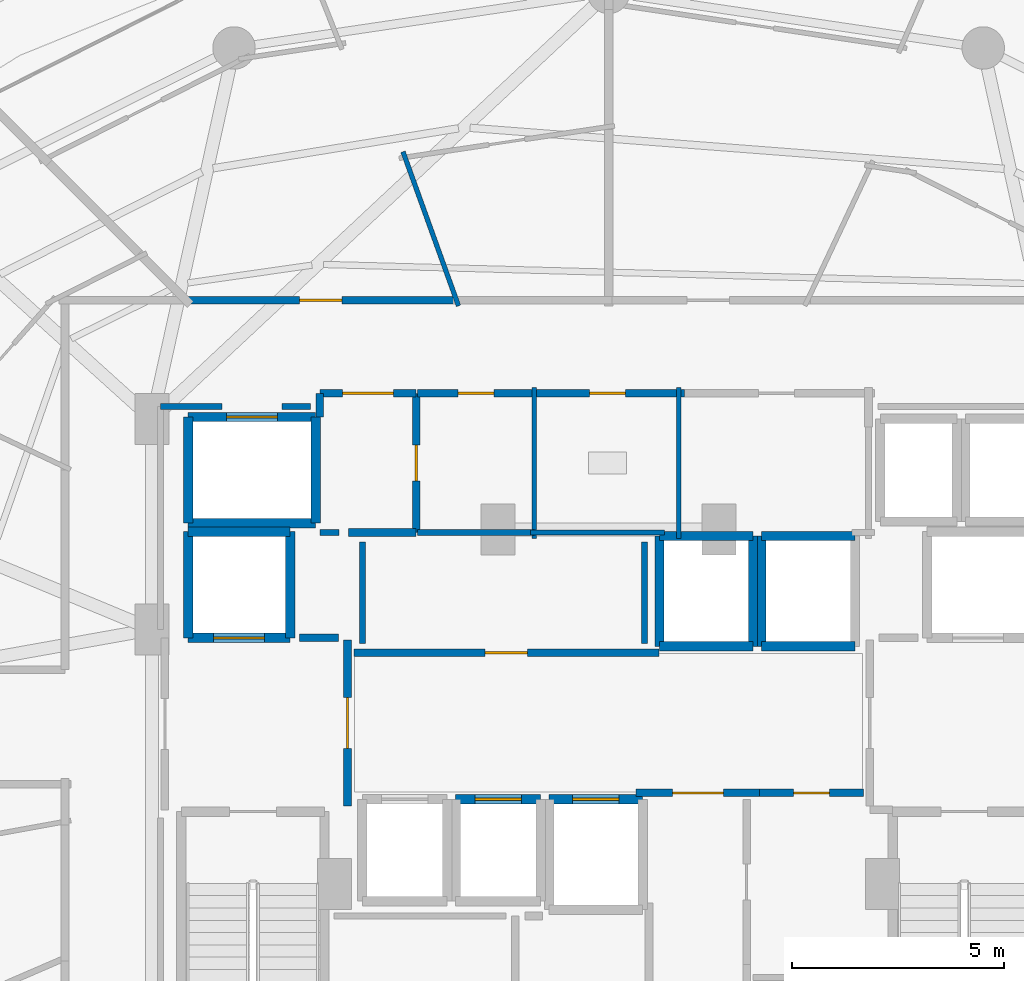
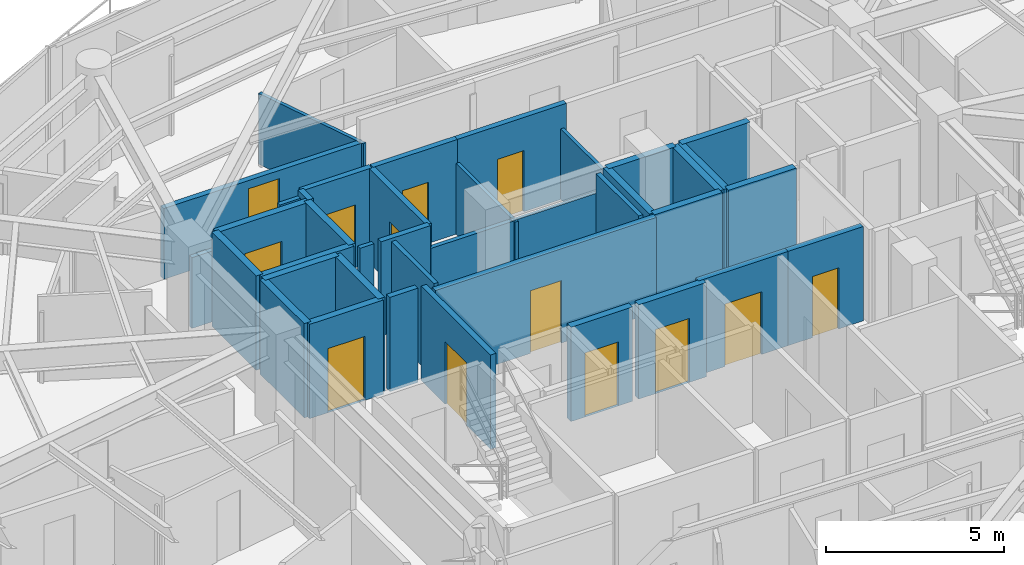
# One storey, part 24 of 31: 39 walls, 13 doors, 13 openings.
"""IFC4 building model written with IfcOpenShell, lengths in metres."""

import ifcopenshell
import ifcopenshell.guid

model = None  # the IFC model being written
_history = None  # IfcOwnerHistory: only IFC2X3 demands one
_inside = {}  # id of a spatial element -> (the spatial element, [elements in it])
_under = {}  # id of a project, library or spatial element -> (it, [spatial elements below it])
_declared = {}  # id of a project -> (the project, [libraries it declares])
_typed = {}  # id of a type object -> (the type object, [elements of that type])
_made_of = {}  # id of a material, layer set ... -> (it, [elements and type objects made of it])


def new_model(schema):
    """Start an empty IFC model of exactly this schema.

    Asked for "IFC4X3", IfcOpenShell would pick the latest addendum, in which some entities
    have other attributes; the version numbers below select the first issue.
    IFC2X3 requires an IfcOwnerHistory on every rooted entity: one is made here for all.
    """
    global model, _history
    if schema == "IFC4X3":
        model = ifcopenshell.file(schema_version=(4, 3, 0, 0))
    else:
        model = ifcopenshell.file(schema=schema)
    _inside.clear()
    _under.clear()
    _declared.clear()
    _typed.clear()
    _made_of.clear()
    _history = None
    if model.schema == "IFC2X3":
        org = make("IfcOrganization", Name="unknown")
        user = make(
            "IfcPersonAndOrganization",
            ThePerson=make("IfcPerson", FamilyName="unknown"),
            TheOrganization=org,
        )
        app = make(
            "IfcApplication",
            ApplicationDeveloper=org,
            Version="unknown",
            ApplicationFullName="unknown",
            ApplicationIdentifier="unknown",
        )
        _history = make(
            "IfcOwnerHistory",
            OwningUser=user,
            OwningApplication=app,
            ChangeAction="ADDED",
            CreationDate=0,
        )
    return model


def make(cls, **values):
    """One entity of the class cls with the attributes given. An attribute that is None is left unset."""
    return model.create_entity(
        cls, **{name: value for name, value in values.items() if value is not None}
    )


def rooted(cls, **values):
    """An entity with a GlobalId (a new one), such as an element, a storey or a relation."""
    return make(cls, GlobalId=ifcopenshell.guid.new(), OwnerHistory=_history, **values)


def si_unit(unit_type, name, prefix=None):
    """IfcSIUnit, for example si_unit("LENGTHUNIT", "METRE", prefix="MILLI")."""
    return make("IfcSIUnit", UnitType=unit_type, Prefix=prefix, Name=name)


def assignment(units):
    """IfcUnitAssignment: the units of a project."""
    return None if units is None else make("IfcUnitAssignment", Units=units)


def point(xyz):
    """IfcCartesianPoint."""
    return None if xyz is None else make("IfcCartesianPoint", Coordinates=xyz)


def direction(xyz):
    """IfcDirection."""
    return None if xyz is None else make("IfcDirection", DirectionRatios=xyz)


def frame(location, z_axis=None, x_axis=None):
    """IfcAxis2Placement3D, a coordinate frame: its origin and axes. An axis left out is left unset."""
    return make(
        "IfcAxis2Placement3D",
        Location=point(location),
        Axis=direction(z_axis),
        RefDirection=direction(x_axis),
    )


def frame_2d(location, x_axis=None):
    """IfcAxis2Placement2D, a coordinate frame in the plane: its origin and x axis."""
    return make(
        "IfcAxis2Placement2D", Location=point(location), RefDirection=direction(x_axis)
    )


def origin():
    """The frame at (0, 0, 0) with its axes left unset."""
    return frame((0.0, 0.0, 0.0))


def place(relative_to, where):
    """IfcLocalPlacement: puts the frame where relative to a parent placement (None: the world)."""
    return make(
        "IfcLocalPlacement", PlacementRelTo=relative_to, RelativePlacement=where
    )


def context(
    kind, dimensions, precision=None, world=None, true_north=None, identifier=None
):
    """IfcGeometricRepresentationContext, for example the 3D "Model" context."""
    return make(
        "IfcGeometricRepresentationContext",
        ContextIdentifier=identifier,
        ContextType=kind,
        CoordinateSpaceDimension=dimensions,
        Precision=precision,
        WorldCoordinateSystem=world,
        TrueNorth=true_north,
    )


def subcontext(parent, identifier, kind, view, scale=None):
    """IfcGeometricRepresentationSubContext, for example "Body" below "Model"."""
    return make(
        "IfcGeometricRepresentationSubContext",
        ContextIdentifier=identifier,
        ContextType=kind,
        ParentContext=parent,
        TargetScale=scale,
        TargetView=view,
    )


def project(units=None, contexts=None):
    """IfcProject with its units and contexts."""
    return rooted(
        "IfcProject",
        Name="project",
        RepresentationContexts=contexts,
        UnitsInContext=assignment(units),
    )


def spatial(cls, under=None, at=None, **own):
    """A site, building, storey or space (cls), placed at a placement, below another one or the project."""
    s = rooted(cls, ObjectPlacement=at, **own)
    if under is not None:
        _under.setdefault(under.id(), (under, []))[1].append(s)
    return s


def profile(cls, at=None, kind="AREA", **sizes):
    """A parametric profile (cls). Its sizes go by their IFC names, for example OverallWidth=200.0."""
    return make(cls, ProfileType=kind, Position=at, **sizes)


def rectangle(**sizes):
    """IfcRectangleProfileDef."""
    return profile("IfcRectangleProfileDef", **sizes)


def extrude(swept, where, along, depth):
    """IfcExtrudedAreaSolid: the profile swept, set in the frame where, extruded along a direction by depth."""
    return make(
        "IfcExtrudedAreaSolid",
        SweptArea=swept,
        Position=where,
        ExtrudedDirection=direction(along),
        Depth=depth,
    )


def shape(context_of_items, identifier, shape_type, items):
    """IfcShapeRepresentation: the items that make up one representation, for example the "Body"."""
    return make(
        "IfcShapeRepresentation",
        ContextOfItems=context_of_items,
        RepresentationIdentifier=identifier,
        RepresentationType=shape_type,
        Items=items,
    )


def material(Name=None, Category=None):
    """IfcMaterial."""
    return make("IfcMaterial", Name=Name, Category=Category)


def layer(
    of_material, thickness, ventilated=None, Name=None, Category=None, Priority=None
):
    """IfcMaterialLayer: one layer of a wall or slab, of a material (None: an air gap)."""
    return make(
        "IfcMaterialLayer",
        Material=of_material,
        LayerThickness=thickness,
        IsVentilated=ventilated,
        Name=Name,
        Category=Category,
        Priority=Priority,
    )


def layer_set(layers, Name=None):
    """IfcMaterialLayerSet."""
    return make("IfcMaterialLayerSet", MaterialLayers=layers, LayerSetName=Name)


def made_of(thing, what):
    """Note that an element or type object is made of a material, layer set ...; save() writes the relation."""
    if what is not None:
        _made_of.setdefault(what.id(), (what, []))[1].append(thing)
    return thing


def type_object(cls, material=None, **own):
    """A type object (cls), such as IfcWallType, which elements share."""
    return made_of(rooted(cls, **own), material)


def element(
    cls,
    number,
    at=None,
    inside=None,
    cuts=None,
    type_object=None,
    material=None,
    context=None,
    identifier="Body",
    shape_type=None,
    held_by="IfcProductDefinitionShape",
    body=None,
    shapes=None,
    **own,
):
    """One element of the class cls, such as IfcWall. Its Tag is "e" and its number.

    at: its placement. inside: the storey or other place that contains it. cuts: it is an
    opening in that element (IfcRelVoidsElement). A single representation is given by context,
    identifier, shape_type and body (its items); several are given by shapes. held_by: the class
    of the entity that holds the representations. save() writes the other relations.
    """
    e = rooted(cls, Tag="e%d" % number, ObjectPlacement=at, **own)
    if body is not None:
        shapes = [shape(context, identifier, shape_type, body)]
    if shapes is not None:
        e.Representation = make(held_by, Representations=shapes)
    if inside is not None:
        _inside.setdefault(inside.id(), (inside, []))[1].append(e)
    if cuts is not None:
        rooted(
            "IfcRelVoidsElement", RelatingBuildingElement=cuts, RelatedOpeningElement=e
        )
    if type_object is not None:
        _typed.setdefault(type_object.id(), (type_object, []))[1].append(e)
    return made_of(e, material)


def fill(opening, filler):
    """IfcRelFillsElement: the door or window that sits in an opening."""
    return rooted(
        "IfcRelFillsElement",
        RelatingOpeningElement=opening,
        RelatedBuildingElement=filler,
    )


def aggregate(whole, parts):
    """IfcRelAggregates: a whole, such as a stair, and the parts it consists of."""
    return rooted("IfcRelAggregates", RelatingObject=whole, RelatedObjects=parts)


def save(model, path):
    """Write the relations noted so far, then the file.

    IfcRelAggregates (storeys below a building ...), IfcRelContainedInSpatialStructure (elements
    in a storey), IfcRelDefinesByType, IfcRelAssociatesMaterial and IfcRelDeclares: one each for
    every whole, place, type object, material and project.
    """
    for whole, parts in _under.values():
        aggregate(whole, parts)
    for where, things in _inside.values():
        rooted(
            "IfcRelContainedInSpatialStructure",
            RelatedElements=things,
            RelatingStructure=where,
        )
    for kind, things in _typed.values():
        rooted("IfcRelDefinesByType", RelatedObjects=things, RelatingType=kind)
    for what, things in _made_of.values():
        rooted("IfcRelAssociatesMaterial", RelatedObjects=things, RelatingMaterial=what)
    for by, libraries in _declared.values():
        rooted("IfcRelDeclares", RelatingContext=by, RelatedDefinitions=libraries)
    model.write(path)


model = new_model("IFC4")

# Units and contexts
model_context = context("Model", 3, precision=1e-05, world=origin(), true_north=direction((0.0, 1.0)))
body_context = subcontext(model_context, "Body", "Model", "MODEL_VIEW")
ifc_project = project(units=[si_unit("LENGTHUNIT", "METRE"), si_unit("AREAUNIT", "SQUARE_METRE"), si_unit("VOLUMEUNIT", "CUBIC_METRE"), si_unit("PLANEANGLEUNIT", "RADIAN"), si_unit("MASSUNIT", "GRAM", prefix="KILO")], contexts=[model_context])

# Site, building, storey
site_placement = place(None, origin())
site = spatial("IfcSite", under=ifc_project, at=site_placement, CompositionType="ELEMENT")
building_placement = place(site_placement, origin())
building = spatial("IfcBuilding", under=site, at=building_placement, Name="Vorneva Point Tower", CompositionType="ELEMENT")
storey_placement = place(building_placement, frame((0.0, 0.0, 136.10009765625)))
storey = spatial("IfcBuildingStorey", under=building, at=storey_placement, Name="L36", CompositionType="ELEMENT", Elevation=136.10009765625)

# Wall, opening, door
ifc_material_1 = material(Name="Concrete B60 (C50/60)", Category="concrete")
ifc_layer_1 = layer(ifc_material_1, 0.5)
ifc_layer_set_1 = layer_set([ifc_layer_1], Name="Concrete B60 (C50/60)")
wall_type_1 = type_object("IfcWallType", Name="WL-CORE-500", PredefinedType="SHEAR", material=ifc_layer_set_1)
wall_1_placement = place(storey_placement, frame((28.10009765625, 28.0, 0.0), z_axis=(0.0, 0.0, 1.0), x_axis=(1.0, 0.0, 0.0)))
wall_1 = element("IfcWall", 1, at=wall_1_placement, inside=storey, type_object=wall_type_1, Name="L36 Lift FFL1 Shaft Wall -Y", PredefinedType="SHEAR", context=body_context, shape_type="SweptSolid", body=[
    extrude(rectangle(XDim=2.39990234375, YDim=0.219970703125, at=frame_2d((1.199951171875, 0.0))), origin(), (0.0, 0.0, 1.0), 3.239990234375),
])
opening_1_placement = place(wall_1_placement, frame((0.60009765625, 0.0, 0.0)))
opening_1 = element("IfcOpeningElement", 2, at=opening_1_placement, cuts=wall_1, Name="Opening LD-02", PredefinedType="OPENING", context=body_context, shape_type="SweptSolid", body=[
    extrude(rectangle(XDim=1.199951171875, YDim=2.199951171875, at=frame_2d((0.60009765625, 1.10009765625))), frame((0.0, 0.125, 0.0), z_axis=(0.0, -1.0, 0.0), x_axis=(1.0, 0.0, 0.0)), (0.0, 0.0, 1.0), 0.249755859375),
])
ifc_material_2 = material(Name="Brushed stainless steel S304", Category="steel")
door_type_1 = type_object("IfcDoorType", Name="LD-FIRE-1200", OperationType="SLIDING_TO_LEFT", PredefinedType="DOOR", material=ifc_material_2)
door_1_placement = place(opening_1_placement, origin())
door_1 = element("IfcDoor", 3, at=door_1_placement, inside=storey, type_object=door_type_1, Name="L36 Lift FFL1 Sliding Landing Door", OperationType="SLIDING_TO_LEFT", OverallHeight=2.199951171875, OverallWidth=1.199951171875, PredefinedType="DOOR", context=body_context, shape_type="SweptSolid", body=[
    extrude(rectangle(XDim=1.199951171875, YDim=2.199951171875, at=frame_2d((0.60009765625, 1.10009765625))), frame((0.0, 0.02490234375, 0.0), z_axis=(0.0, -1.0, 0.0), x_axis=(1.0, 0.0, 0.0)), (0.0, 0.0, 1.0), 0.050048828125),
])
fill(opening_1, door_1)

# Walls
wall_2_placement = place(storey_placement, frame((30.5, 28.0, 0.0), z_axis=(0.0, 0.0, 1.0), x_axis=(0.0, 1.0, 0.0)))
element("IfcWall", 4, at=wall_2_placement, inside=storey, type_object=wall_type_1, Name="L36 Lift FFL1 Shaft Wall +X", PredefinedType="SHEAR", context=body_context, shape_type="SweptSolid", body=[
    extrude(rectangle(XDim=2.5, YDim=0.219970703125, at=frame_2d((1.25, 0.0))), origin(), (0.0, 0.0, 1.0), 3.239990234375),
])
wall_3_placement = place(storey_placement, frame((30.5, 30.5, 0.0), z_axis=(0.0, 0.0, 1.0), x_axis=(-1.0, 0.0, 0.0)))
element("IfcWall", 5, at=wall_3_placement, inside=storey, type_object=wall_type_1, Name="L36 Lift FFL1 Shaft Wall +Y", PredefinedType="SHEAR", context=body_context, shape_type="SweptSolid", body=[
    extrude(rectangle(XDim=2.39990234375, YDim=0.219970703125, at=frame_2d((1.199951171875, 0.0))), origin(), (0.0, 0.0, 1.0), 3.239990234375),
])
wall_4_placement = place(storey_placement, frame((28.10009765625, 30.5, 0.0), z_axis=(0.0, 0.0, 1.0), x_axis=(0.0, -1.0, 0.0)))
element("IfcWall", 6, at=wall_4_placement, inside=storey, type_object=wall_type_1, Name="L36 Lift FFL1 Shaft Wall -X", PredefinedType="SHEAR", context=body_context, shape_type="SweptSolid", body=[
    extrude(rectangle(XDim=2.5, YDim=0.219970703125, at=frame_2d((1.25, 0.0))), origin(), (0.0, 0.0, 1.0), 3.239990234375),
])
ifc_material_3 = material(Name="Fire-rated acoustic gypsum stud partition", Category="gypsum")
ifc_layer_2 = layer(ifc_material_3, 0.110107421875)
ifc_layer_set_2 = layer_set([ifc_layer_2], Name="Fire-rated acoustic gypsum stud partition")
wall_type_2 = type_object("IfcWallType", Name="WL-PART-110", PredefinedType="PARTITIONING", material=ifc_layer_set_2)
for number, where, z_axis, x_axis, name in (
    (7, (36.25, 30.340087890625, 0.0), (0.0, 0.0, 1.0), (0.0, 1.0, 0.0), "L36 Interior Partition 019"),
    (8, (39.64990234375, 30.340087890625, 0.0), (0.0, 0.0, 1.0), (0.0, 1.0, 0.0), "L36 Interior Partition 022"),
):
    element("IfcWall", number, at=place(storey_placement, frame(where, z_axis=z_axis, x_axis=x_axis)), inside=storey, type_object=wall_type_2, Name=name, PredefinedType="PARTITIONING", context=body_context, shape_type="SweptSolid", body=[
        extrude(rectangle(XDim=3.559814453125, YDim=0.110107421875, at=frame_2d((1.77978515625, 0.0))), origin(), (0.0, 0.0, 1.0), 2.431884765625),
    ])
wall_5_placement = place(storey_placement, frame((36.159912109375, 30.47998046875, 0.0), z_axis=(0.0, 0.0, 1.0), x_axis=(1.0, 0.0, 0.0)))
element("IfcWall", 9, at=wall_5_placement, inside=storey, type_object=wall_type_2, Name="L36 Interior Partition 023", PredefinedType="PARTITIONING", context=body_context, shape_type="SweptSolid", body=[
    extrude(rectangle(XDim=3.16015625, YDim=0.110107421875, at=frame_2d((1.580078125, 0.0))), origin(), (0.0, 0.0, 1.0), 2.431884765625),
])
wall_6_placement = place(storey_placement, frame((34.46533203125, 35.818359375, 0.0), z_axis=(0.0, 0.0, 1.0), x_axis=(-0.338813618534, 0.940853512453, 0.0)))
element("IfcWall", 10, at=wall_6_placement, inside=storey, type_object=wall_type_2, Name="L36 Interior Partition 083", PredefinedType="PARTITIONING", context=body_context, shape_type="SweptSolid", body=[
    extrude(rectangle(XDim=3.8564453125, YDim=0.110107421875, at=frame_2d((1.92822265625, 0.0))), origin(), (0.0, 0.0, 1.0), 2.431884765625),
])
ifc_layer_3 = layer(ifc_material_3, 0.139892578125)
ifc_layer_set_3 = layer_set([ifc_layer_3], Name="Fire-rated acoustic gypsum stud partition")
wall_type_3 = type_object("IfcWallType", Name="WL-PART-140", PredefinedType="PARTITIONING", material=ifc_layer_set_3)
wall_7_placement = place(storey_placement, frame((33.5, 30.47998046875, 0.0), z_axis=(0.0, 0.0, 1.0), x_axis=(1.0, 0.0, 0.0)))
element("IfcWall", 11, at=wall_7_placement, inside=storey, type_object=wall_type_3, Name="L36 Interior Partition 020", PredefinedType="PARTITIONING", context=body_context, shape_type="SweptSolid", body=[
    extrude(rectangle(XDim=2.75, YDim=0.139892578125, at=frame_2d((1.375, 0.0))), origin(), (0.0, 0.0, 1.0), 2.431884765625),
])
wall_8_placement = place(storey_placement, frame((31.199951171875, 30.47998046875, 0.0), z_axis=(0.0, 0.0, 1.0), x_axis=(1.0, 0.0, 0.0)))
element("IfcWall", 12, at=wall_8_placement, inside=storey, type_object=wall_type_3, Name="L36 Interior Closure Partition 133", PredefinedType="PARTITIONING", context=body_context, shape_type="SweptSolid", body=[
    extrude(rectangle(XDim=0.449951171875, YDim=0.139892578125, at=frame_2d((0.22509765625, 0.0))), origin(), (0.0, 0.0, 1.0), 3.239990234375),
])
for number, where, z_axis, x_axis, name in (
    (13, (32.199951171875, 30.260009765625, 0.0), (0.0, 0.0, 1.0), (0.0, -1.0, 0.0), "L36 Interior Closure Partition 138"),
    (14, (38.85009765625, 27.8701171875, 0.0), (0.0, 0.0, 1.0), (0.0, 1.0, 0.0), "L36 Interior Closure Partition 139"),
):
    element("IfcWall", number, at=place(storey_placement, frame(where, z_axis=z_axis, x_axis=x_axis)), inside=storey, type_object=wall_type_3, Name=name, PredefinedType="PARTITIONING", context=body_context, shape_type="SweptSolid", body=[
        extrude(rectangle(XDim=2.389892578125, YDim=0.139892578125, at=frame_2d((1.19482421875, 0.0))), origin(), (0.0, 0.0, 1.0), 3.239990234375),
    ])
wall_9_placement = place(storey_placement, frame((30.97998046875, 33.449951171875, 0.0), z_axis=(0.0, 0.0, 1.0), x_axis=(-1.0, 0.0, 0.0)))
element("IfcWall", 15, at=wall_9_placement, inside=storey, type_object=wall_type_3, Name="L36 Interior Closure Partition 143", PredefinedType="PARTITIONING", context=body_context, shape_type="SweptSolid", body=[
    extrude(rectangle(XDim=0.674072265625, YDim=0.139892578125, at=frame_2d((0.3369140625, 0.0))), origin(), (0.0, 0.0, 1.0), 3.239990234375),
])
wall_10_placement = place(storey_placement, frame((28.89404296875, 33.449951171875, 0.0), z_axis=(0.0, 0.0, 1.0), x_axis=(-1.0, 0.0, 0.0)))
element("IfcWall", 16, at=wall_10_placement, inside=storey, type_object=wall_type_3, Name="L36 Interior Closure Partition 144", PredefinedType="PARTITIONING", context=body_context, shape_type="SweptSolid", body=[
    extrude(rectangle(XDim=1.444091796875, YDim=0.139892578125, at=frame_2d((0.72216796875, 0.0))), origin(), (0.0, 0.0, 1.0), 2.431884765625),
])

# Wall, opening, door
ifc_material_4 = material(Name="Autoclaved aerated concrete blockwork", Category="masonry")
ifc_layer_4 = layer(ifc_material_4, 0.179931640625)
ifc_layer_set_4 = layer_set([ifc_layer_4], Name="Autoclaved aerated concrete blockwork")
wall_type_4 = type_object("IfcWallType", Name="WL-PART-180", PredefinedType="PARTITIONING", material=ifc_layer_set_4)
wall_11_placement = place(storey_placement, frame((31.85009765625, 24.044921875, 0.0), z_axis=(0.0, 0.0, 1.0), x_axis=(0.0, 1.0, 0.0)))
wall_11 = element("IfcWall", 17, at=wall_11_placement, inside=storey, type_object=wall_type_4, Name="L36 Interior Partition 001", PredefinedType="PARTITIONING", context=body_context, shape_type="SweptSolid", body=[
    extrude(rectangle(XDim=3.91015625, YDim=0.179931640625, at=frame_2d((1.955078125, 0.0))), origin(), (0.0, 0.0, 1.0), 3.239990234375),
])
opening_2_placement = place(wall_11_placement, frame((1.35498046875, 0.0, 0.0)))
opening_2 = element("IfcOpeningElement", 18, at=opening_2_placement, cuts=wall_11, Name="Opening FD-02", PredefinedType="OPENING", context=body_context, shape_type="SweptSolid", body=[
    extrude(rectangle(XDim=1.199951171875, YDim=2.14990234375, at=frame_2d((0.60009765625, 1.074951171875))), frame((0.0, 0.10498046875, 0.0), z_axis=(0.0, -1.0, 0.0), x_axis=(1.0, 0.0, 0.0)), (0.0, 0.0, 1.0), 0.209716796875),
])
ifc_material_5 = material(Name="Fire-rated powder-coated steel", Category="steel")
door_type_2 = type_object("IfcDoorType", Name="DR-FFL-1200", OperationType="NOTDEFINED", PredefinedType="DOOR", material=ifc_material_5)
door_2_placement = place(opening_2_placement, origin())
door_2 = element("IfcDoor", 19, at=door_2_placement, inside=storey, type_object=door_type_2, Name="L36 Door West Firefighting Lobby / Central Lift Lobby", OperationType="SINGLE_SWING_RIGHT", OverallHeight=2.14990234375, OverallWidth=1.199951171875, PredefinedType="DOOR", context=body_context, shape_type="SweptSolid", body=[
    extrude(rectangle(XDim=1.199951171875, YDim=2.14990234375, at=frame_2d((0.60009765625, 1.074951171875))), frame((0.0, 0.02490234375, 0.0), z_axis=(0.0, -1.0, 0.0), x_axis=(1.0, 0.0, 0.0)), (0.0, 0.0, 1.0), 0.050048828125),
])
fill(opening_2, door_2)

wall_12_placement = place(storey_placement, frame((33.469970703125, 30.47998046875, 0.0), z_axis=(0.0, 0.0, 1.0), x_axis=(0.0, 1.0, 0.0)))
wall_12 = element("IfcWall", 20, at=wall_12_placement, inside=storey, type_object=wall_type_4, Name="L36 Interior Partition 006", PredefinedType="PARTITIONING", context=body_context, shape_type="SweptSolid", body=[
    extrude(rectangle(XDim=3.280029296875, YDim=0.179931640625, at=frame_2d((1.64013671875, 0.0))), origin(), (0.0, 0.0, 1.0), 3.239990234375),
])
opening_3_placement = place(wall_12_placement, frame((1.215087890625, 0.0, 0.0)))
opening_3 = element("IfcOpeningElement", 21, at=opening_3_placement, cuts=wall_12, Name="Opening ID-02", PredefinedType="OPENING", context=body_context, shape_type="SweptSolid", body=[
    extrude(rectangle(XDim=0.85009765625, YDim=2.10009765625, at=frame_2d((0.425048828125, 1.050048828125))), frame((0.0, 0.10498046875, 0.0), z_axis=(0.0, -1.0, 0.0), x_axis=(1.0, 0.0, 0.0)), (0.0, 0.0, 1.0), 0.209716796875),
])
ifc_material_6 = material(Name="Engineered oak fire-rated door leaf", Category="wood")
door_type_3 = type_object("IfcDoorType", Name="DR-BATH-850", OperationType="NOTDEFINED", PredefinedType="DOOR", material=ifc_material_6)
door_3_placement = place(opening_3_placement, origin())
door_3 = element("IfcDoor", 22, at=door_3_placement, inside=storey, type_object=door_type_3, Name="L36 Door Service Lift Lobby / Core Supply Store", OperationType="SINGLE_SWING_RIGHT", OverallHeight=2.10009765625, OverallWidth=0.85009765625, PredefinedType="DOOR", context=body_context, shape_type="SweptSolid", body=[
    extrude(rectangle(XDim=0.85009765625, YDim=2.10009765625, at=frame_2d((0.425048828125, 1.050048828125))), frame((0.0, 0.02490234375, 0.0), z_axis=(0.0, -1.0, 0.0), x_axis=(1.0, 0.0, 0.0)), (0.0, 0.0, 1.0), 0.050048828125),
])
fill(opening_3, door_3)

# Wall
wall_13_placement = place(storey_placement, frame((31.8701171875, 30.47998046875, 0.0), z_axis=(0.0, 0.0, 1.0), x_axis=(1.0, 0.0, 0.0)))
element("IfcWall", 23, at=wall_13_placement, inside=storey, type_object=wall_type_4, Name="L36 Interior Partition 007", PredefinedType="PARTITIONING", context=body_context, shape_type="SweptSolid", body=[
    extrude(rectangle(XDim=1.599853515625, YDim=0.179931640625, at=frame_2d((0.7998046875, 0.0))), origin(), (0.0, 0.0, 1.0), 3.239990234375),
])

# Wall, opening, door
wall_14_placement = place(storey_placement, frame((33.469970703125, 33.760009765625, 0.0), z_axis=(0.0, 0.0, 1.0), x_axis=(-1.0, 0.0, 0.0)))
wall_14 = element("IfcWall", 24, at=wall_14_placement, inside=storey, type_object=wall_type_4, Name="L36 Interior Partition 008", PredefinedType="PARTITIONING", context=body_context, shape_type="SweptSolid", body=[
    extrude(rectangle(XDim=2.27001953125, YDim=0.179931640625, at=frame_2d((1.135009765625, 0.0))), origin(), (0.0, 0.0, 1.0), 3.239990234375),
])
opening_4_placement = place(wall_14_placement, frame((0.534912109375, 0.0, 0.0)))
opening_4 = element("IfcOpeningElement", 25, at=opening_4_placement, cuts=wall_14, Name="Opening FD-02", PredefinedType="OPENING", context=body_context, shape_type="SweptSolid", body=[
    extrude(rectangle(XDim=1.199951171875, YDim=2.14990234375, at=frame_2d((0.60009765625, 1.074951171875))), frame((0.0, 0.10498046875, 0.0), z_axis=(0.0, -1.0, 0.0), x_axis=(1.0, 0.0, 0.0)), (0.0, 0.0, 1.0), 0.209716796875),
])
door_4_placement = place(opening_4_placement, origin())
door_4 = element("IfcDoor", 26, at=door_4_placement, inside=storey, type_object=door_type_2, Name="L36 Door Service Lift Lobby / L36 Circulation Corridor", OperationType="SINGLE_SWING_LEFT", OverallHeight=2.14990234375, OverallWidth=1.199951171875, PredefinedType="DOOR", context=body_context, shape_type="SweptSolid", body=[
    extrude(rectangle(XDim=1.199951171875, YDim=2.14990234375, at=frame_2d((0.60009765625, 1.074951171875))), frame((0.0, 0.02490234375, 0.0), z_axis=(0.0, -1.0, 0.0), x_axis=(1.0, 0.0, 0.0)), (0.0, 0.0, 1.0), 0.050048828125),
])
fill(opening_4, door_4)

# Wall
wall_15_placement = place(storey_placement, frame((31.199951171875, 33.760009765625, 0.0), z_axis=(0.0, 0.0, 1.0), x_axis=(0.0, -1.0, 0.0)))
element("IfcWall", 27, at=wall_15_placement, inside=storey, type_object=wall_type_4, Name="L36 Interior Partition 009", PredefinedType="PARTITIONING", context=body_context, shape_type="SweptSolid", body=[
    extrude(rectangle(XDim=0.56005859375, YDim=0.179931640625, at=frame_2d((0.280029296875, 0.0))), origin(), (0.0, 0.0, 1.0), 3.239990234375),
])

# Wall, opening, door
wall_16_placement = place(storey_placement, frame((38.64501953125, 24.35009765625, 0.0), z_axis=(0.0, 0.0, 1.0), x_axis=(1.0, 0.0, 0.0)))
wall_16 = element("IfcWall", 28, at=wall_16_placement, inside=storey, type_object=wall_type_4, Name="L36 Interior Partition 010", PredefinedType="PARTITIONING", context=body_context, shape_type="SweptSolid", body=[
    extrude(rectangle(XDim=2.909912109375, YDim=0.179931640625, at=frame_2d((1.455078125, 0.0))), origin(), (0.0, 0.0, 1.0), 3.239990234375),
])
opening_5_placement = place(wall_16_placement, frame((0.85498046875, 0.0, 0.0)))
opening_5 = element("IfcOpeningElement", 29, at=opening_5_placement, cuts=wall_16, Name="Opening FD-02", PredefinedType="OPENING", context=body_context, shape_type="SweptSolid", body=[
    extrude(rectangle(XDim=1.199951171875, YDim=2.14990234375, at=frame_2d((0.60009765625, 1.074951171875))), frame((0.0, 0.10498046875, 0.0), z_axis=(0.0, -1.0, 0.0), x_axis=(1.0, 0.0, 0.0)), (0.0, 0.0, 1.0), 0.209716796875),
])
door_5_placement = place(opening_5_placement, origin())
door_5 = element("IfcDoor", 30, at=door_5_placement, inside=storey, type_object=door_type_2, Name="L36 Door Central Lift Lobby / Core Service Lobby", OperationType="SINGLE_SWING_RIGHT", OverallHeight=2.14990234375, OverallWidth=1.199951171875, PredefinedType="DOOR", context=body_context, shape_type="SweptSolid", body=[
    extrude(rectangle(XDim=1.199951171875, YDim=2.14990234375, at=frame_2d((0.60009765625, 1.074951171875))), frame((0.0, 0.02490234375, 0.0), z_axis=(0.0, -1.0, 0.0), x_axis=(1.0, 0.0, 0.0)), (0.0, 0.0, 1.0), 0.050048828125),
])
fill(opening_5, door_5)

wall_17_placement = place(storey_placement, frame((41.554931640625, 24.35009765625, 0.0), z_axis=(0.0, 0.0, 1.0), x_axis=(1.0, 0.0, 0.0)))
wall_17 = element("IfcWall", 31, at=wall_17_placement, inside=storey, type_object=wall_type_4, Name="L36 Interior Partition 011", PredefinedType="PARTITIONING", context=body_context, shape_type="SweptSolid", body=[
    extrude(rectangle(XDim=2.445068359375, YDim=0.179931640625, at=frame_2d((1.22265625, 0.0))), origin(), (0.0, 0.0, 1.0), 3.239990234375),
])
opening_6_placement = place(wall_17_placement, frame((0.797607421875, 0.0, 0.0)))
opening_6 = element("IfcOpeningElement", 32, at=opening_6_placement, cuts=wall_17, Name="Opening ID-02", PredefinedType="OPENING", context=body_context, shape_type="SweptSolid", body=[
    extrude(rectangle(XDim=0.85009765625, YDim=2.10009765625, at=frame_2d((0.425048828125, 1.050048828125))), frame((0.0, 0.10498046875, 0.0), z_axis=(0.0, -1.0, 0.0), x_axis=(1.0, 0.0, 0.0)), (0.0, 0.0, 1.0), 0.209716796875),
])
door_6_placement = place(opening_6_placement, origin())
door_6 = element("IfcDoor", 33, at=door_6_placement, inside=storey, type_object=door_type_3, Name="L36 Door Central Lift Lobby / Valet and Parcel Room", OperationType="SINGLE_SWING_LEFT", OverallHeight=2.10009765625, OverallWidth=0.85009765625, PredefinedType="DOOR", context=body_context, shape_type="SweptSolid", body=[
    extrude(rectangle(XDim=0.85009765625, YDim=2.10009765625, at=frame_2d((0.425048828125, 1.050048828125))), frame((0.0, 0.02490234375, 0.0), z_axis=(0.0, -1.0, 0.0), x_axis=(1.0, 0.0, 0.0)), (0.0, 0.0, 1.0), 0.050048828125),
])
fill(opening_6, door_6)

wall_18_placement = place(storey_placement, frame((39.18994140625, 27.64990234375, 0.0), z_axis=(0.0, 0.0, 1.0), x_axis=(-1.0, 0.0, 0.0)))
wall_18 = element("IfcWall", 34, at=wall_18_placement, inside=storey, type_object=wall_type_4, Name="L36 Interior Partition 012", PredefinedType="PARTITIONING", context=body_context, shape_type="SweptSolid", body=[
    extrude(rectangle(XDim=7.18994140625, YDim=0.179931640625, at=frame_2d((3.594970703125, 0.0))), origin(), (0.0, 0.0, 1.0), 3.239990234375),
])
opening_7_placement = place(wall_18_placement, frame((3.094970703125, 0.0, 0.0)))
opening_7 = element("IfcOpeningElement", 35, at=opening_7_placement, cuts=wall_18, Name="Opening UD-01", PredefinedType="OPENING", context=body_context, shape_type="SweptSolid", body=[
    extrude(rectangle(XDim=1.0, YDim=2.14990234375, at=frame_2d((0.5, 1.074951171875))), frame((0.0, 0.10498046875, 0.0), z_axis=(0.0, -1.0, 0.0), x_axis=(1.0, 0.0, 0.0)), (0.0, 0.0, 1.0), 0.209716796875),
])
door_type_4 = type_object("IfcDoorType", Name="DR-UNIT-1000", OperationType="NOTDEFINED", PredefinedType="DOOR", material=ifc_material_6)
door_7_placement = place(opening_7_placement, origin())
door_7 = element("IfcDoor", 36, at=door_7_placement, inside=storey, type_object=door_type_4, Name="L36 Door Central Lift Lobby / Reclaimed Core Meeting Room", OperationType="SINGLE_SWING_RIGHT", OverallHeight=2.14990234375, OverallWidth=1.0, PredefinedType="DOOR", context=body_context, shape_type="SweptSolid", body=[
    extrude(rectangle(XDim=1.0, YDim=2.14990234375, at=frame_2d((0.5, 1.074951171875))), frame((0.0, 0.02490234375, 0.0), z_axis=(0.0, -1.0, 0.0), x_axis=(1.0, 0.0, 0.0)), (0.0, 0.0, 1.0), 0.050048828125),
])
fill(opening_7, door_7)

wall_19_placement = place(storey_placement, frame((36.25, 33.760009765625, 0.0), z_axis=(0.0, 0.0, 1.0), x_axis=(-1.0, 0.0, 0.0)))
wall_19 = element("IfcWall", 37, at=wall_19_placement, inside=storey, type_object=wall_type_4, Name="L36 Interior Partition 021", PredefinedType="PARTITIONING", context=body_context, shape_type="SweptSolid", body=[
    extrude(rectangle(XDim=2.75, YDim=0.179931640625, at=frame_2d((1.375, 0.0))), origin(), (0.0, 0.0, 1.0), 3.239990234375),
])
opening_8_placement = place(wall_19_placement, frame((0.949951171875, 0.0, 0.0)))
opening_8 = element("IfcOpeningElement", 38, at=opening_8_placement, cuts=wall_19, Name="Opening ID-02", PredefinedType="OPENING", context=body_context, shape_type="SweptSolid", body=[
    extrude(rectangle(XDim=0.85009765625, YDim=2.10009765625, at=frame_2d((0.425048828125, 1.050048828125))), frame((0.0, 0.10498046875, 0.0), z_axis=(0.0, -1.0, 0.0), x_axis=(1.0, 0.0, 0.0)), (0.0, 0.0, 1.0), 0.209716796875),
])
door_8_placement = place(opening_8_placement, origin())
door_8 = element("IfcDoor", 39, at=door_8_placement, inside=storey, type_object=door_type_3, Name="L36 Door Core Supply Store / L36 Circulation Corridor", OperationType="SINGLE_SWING_RIGHT", OverallHeight=2.10009765625, OverallWidth=0.85009765625, PredefinedType="DOOR", context=body_context, shape_type="SweptSolid", body=[
    extrude(rectangle(XDim=0.85009765625, YDim=2.10009765625, at=frame_2d((0.425048828125, 1.050048828125))), frame((0.0, 0.02490234375, 0.0), z_axis=(0.0, -1.0, 0.0), x_axis=(1.0, 0.0, 0.0)), (0.0, 0.0, 1.0), 0.050048828125),
])
fill(opening_8, door_8)

wall_20_placement = place(storey_placement, frame((39.7900390625, 33.760009765625, 0.0), z_axis=(0.0, 0.0, 1.0), x_axis=(-1.0, 0.0, 0.0)))
wall_20 = element("IfcWall", 40, at=wall_20_placement, inside=storey, type_object=wall_type_4, Name="L36 Interior Partition 024", PredefinedType="PARTITIONING", context=body_context, shape_type="SweptSolid", body=[
    extrude(rectangle(XDim=3.630126953125, YDim=0.179931640625, at=frame_2d((1.81494140625, 0.0))), origin(), (0.0, 0.0, 1.0), 3.239990234375),
])
opening_9_placement = place(wall_20_placement, frame((1.389892578125, 0.0, 0.0)))
opening_9 = element("IfcOpeningElement", 41, at=opening_9_placement, cuts=wall_20, Name="Opening ID-02", PredefinedType="OPENING", context=body_context, shape_type="SweptSolid", body=[
    extrude(rectangle(XDim=0.85009765625, YDim=2.10009765625, at=frame_2d((0.425048828125, 1.050048828125))), frame((0.0, 0.10498046875, 0.0), z_axis=(0.0, -1.0, 0.0), x_axis=(1.0, 0.0, 0.0)), (0.0, 0.0, 1.0), 0.209716796875),
])
door_9_placement = place(opening_9_placement, origin())
door_9 = element("IfcDoor", 42, at=door_9_placement, inside=storey, type_object=door_type_3, Name="L36 Door Accessible WC / L36 Circulation Corridor", OperationType="SINGLE_SWING_LEFT", OverallHeight=2.10009765625, OverallWidth=0.85009765625, PredefinedType="DOOR", context=body_context, shape_type="SweptSolid", body=[
    extrude(rectangle(XDim=0.85009765625, YDim=2.10009765625, at=frame_2d((0.425048828125, 1.050048828125))), frame((0.0, 0.02490234375, 0.0), z_axis=(0.0, -1.0, 0.0), x_axis=(1.0, 0.0, 0.0)), (0.0, 0.0, 1.0), 0.050048828125),
])
fill(opening_9, door_9)

wall_21_placement = place(storey_placement, frame((34.47802734375, 35.949951171875, 0.0), z_axis=(0.0, 0.0, 1.0), x_axis=(-1.0, 0.0, 0.0)))
wall_21 = element("IfcWall", 43, at=wall_21_placement, inside=storey, type_object=wall_type_4, Name="L36 Interior Partition 038", PredefinedType="PARTITIONING", context=body_context, shape_type="SweptSolid", body=[
    extrude(rectangle(XDim=6.512939453125, YDim=0.179931640625, at=frame_2d((3.25634765625, 0.0))), origin(), (0.0, 0.0, 1.0), 2.431884765625),
])
opening_10_placement = place(wall_21_placement, frame((2.756591796875, 0.0, 0.0)))
opening_10 = element("IfcOpeningElement", 44, at=opening_10_placement, cuts=wall_21, Name="Opening UD-01", PredefinedType="OPENING", context=body_context, shape_type="SweptSolid", body=[
    extrude(rectangle(XDim=1.0, YDim=2.14990234375, at=frame_2d((0.5, 1.074951171875))), frame((0.0, 0.10498046875, 0.0), z_axis=(0.0, -1.0, 0.0), x_axis=(1.0, 0.0, 0.0)), (0.0, 0.0, 1.0), 0.209716796875),
])
door_10_placement = place(opening_10_placement, origin())
door_10 = element("IfcDoor", 45, at=door_10_placement, inside=storey, type_object=door_type_4, Name="L36 Door L36 Circulation Corridor / Studio Apartment L36-03", OperationType="SINGLE_SWING_LEFT", OverallHeight=2.14990234375, OverallWidth=1.0, PredefinedType="DOOR", context=body_context, shape_type="SweptSolid", body=[
    extrude(rectangle(XDim=1.0, YDim=2.14990234375, at=frame_2d((0.5, 1.074951171875))), frame((0.0, 0.02490234375, 0.0), z_axis=(0.0, -1.0, 0.0), x_axis=(1.0, 0.0, 0.0)), (0.0, 0.0, 1.0), 0.050048828125),
])
fill(opening_10, door_10)

# Wall
wall_22_placement = place(storey_placement, frame((31.635009765625, 28.0, 0.0), z_axis=(0.0, 0.0, 1.0), x_axis=(-1.0, 0.0, 0.0)))
element("IfcWall", 46, at=wall_22_placement, inside=storey, type_object=wall_type_4, Name="L36 Interior Closure Partition 131", PredefinedType="PARTITIONING", context=body_context, shape_type="SweptSolid", body=[
    extrude(rectangle(XDim=0.9150390625, YDim=0.179931640625, at=frame_2d((0.45751953125, 0.0))), origin(), (0.0, 0.0, 1.0), 3.239990234375),
])

# Wall, opening, door
ifc_material_7 = material(Name="Concrete B50 (C40/50)", Category="concrete")
ifc_layer_5 = layer(ifc_material_7, 0.219970703125)
ifc_layer_set_5 = layer_set([ifc_layer_5], Name="Concrete B50 (C40/50)")
wall_type_5 = type_object("IfcWallType", Name="WL-SHFT-220", PredefinedType="SOLIDWALL", material=ifc_layer_set_5)
wall_23_placement = place(storey_placement, frame((36.39990234375, 24.199951171875, 0.0), z_axis=(0.0, 0.0, 1.0), x_axis=(-1.0, 0.0, 0.0)))
wall_23 = element("IfcWall", 47, at=wall_23_placement, inside=storey, type_object=wall_type_5, Name="L36 Lift PL5 Shaft Wall +Y", PredefinedType="SOLIDWALL", context=body_context, shape_type="SweptSolid", body=[
    extrude(rectangle(XDim=2.0, YDim=0.219970703125, at=frame_2d((1.0, 0.0))), origin(), (0.0, 0.0, 1.0), 3.239990234375),
])
opening_11_placement = place(wall_23_placement, frame((0.449951171875, 0.0, 0.0)))
opening_11 = element("IfcOpeningElement", 48, at=opening_11_placement, cuts=wall_23, Name="Opening LD-01", PredefinedType="OPENING", context=body_context, shape_type="SweptSolid", body=[
    extrude(rectangle(XDim=1.10009765625, YDim=2.199951171875, at=frame_2d((0.550048828125, 1.10009765625))), frame((0.0, 0.125, 0.0), z_axis=(0.0, -1.0, 0.0), x_axis=(1.0, 0.0, 0.0)), (0.0, 0.0, 1.0), 0.249755859375),
])
door_type_5 = type_object("IfcDoorType", Name="LD-PASS-1100", OperationType="SLIDING_TO_LEFT", PredefinedType="DOOR", material=ifc_material_2)
door_11_placement = place(opening_11_placement, origin())
door_11 = element("IfcDoor", 49, at=door_11_placement, inside=storey, type_object=door_type_5, Name="L36 Lift PL5 Sliding Landing Door", OperationType="SLIDING_TO_LEFT", OverallHeight=2.199951171875, OverallWidth=1.10009765625, PredefinedType="DOOR", context=body_context, shape_type="SweptSolid", body=[
    extrude(rectangle(XDim=1.10009765625, YDim=2.199951171875, at=frame_2d((0.550048828125, 1.10009765625))), frame((0.0, 0.02490234375, 0.0), z_axis=(0.0, -1.0, 0.0), x_axis=(1.0, 0.0, 0.0)), (0.0, 0.0, 1.0), 0.050048828125),
])
fill(opening_11, door_11)

wall_24_placement = place(storey_placement, frame((38.800048828125, 24.199951171875, 0.0), z_axis=(0.0, 0.0, 1.0), x_axis=(-1.0, 0.0, 0.0)))
wall_24 = element("IfcWall", 50, at=wall_24_placement, inside=storey, type_object=wall_type_5, Name="L36 Lift PL6 Shaft Wall +Y", PredefinedType="SOLIDWALL", context=body_context, shape_type="SweptSolid", body=[
    extrude(rectangle(XDim=2.199951171875, YDim=0.219970703125, at=frame_2d((1.10009765625, 0.0))), origin(), (0.0, 0.0, 1.0), 3.239990234375),
])
opening_12_placement = place(wall_24_placement, frame((0.550048828125, 0.0, 0.0)))
opening_12 = element("IfcOpeningElement", 51, at=opening_12_placement, cuts=wall_24, Name="Opening LD-01", PredefinedType="OPENING", context=body_context, shape_type="SweptSolid", body=[
    extrude(rectangle(XDim=1.10009765625, YDim=2.199951171875, at=frame_2d((0.550048828125, 1.10009765625))), frame((0.0, 0.125, 0.0), z_axis=(0.0, -1.0, 0.0), x_axis=(1.0, 0.0, 0.0)), (0.0, 0.0, 1.0), 0.249755859375),
])
door_12_placement = place(opening_12_placement, origin())
door_12 = element("IfcDoor", 52, at=door_12_placement, inside=storey, type_object=door_type_5, Name="L36 Lift PL6 Sliding Landing Door", OperationType="SLIDING_TO_LEFT", OverallHeight=2.199951171875, OverallWidth=1.10009765625, PredefinedType="DOOR", context=body_context, shape_type="SweptSolid", body=[
    extrude(rectangle(XDim=1.10009765625, YDim=2.199951171875, at=frame_2d((0.550048828125, 1.10009765625))), frame((0.0, 0.02490234375, 0.0), z_axis=(0.0, -1.0, 0.0), x_axis=(1.0, 0.0, 0.0)), (0.0, 0.0, 1.0), 0.050048828125),
])
fill(opening_12, door_12)

# Walls
wall_25_placement = place(storey_placement, frame((39.199951171875, 27.800048828125, 0.0), z_axis=(0.0, 0.0, 1.0), x_axis=(1.0, 0.0, 0.0)))
element("IfcWall", 53, at=wall_25_placement, inside=storey, type_object=wall_type_5, Name="L36 Lift PL7 Shaft Wall -Y", PredefinedType="SOLIDWALL", context=body_context, shape_type="SweptSolid", body=[
    extrude(rectangle(XDim=2.199951171875, YDim=0.219970703125, at=frame_2d((1.10009765625, 0.0))), origin(), (0.0, 0.0, 1.0), 3.239990234375),
])
wall_26_placement = place(storey_placement, frame((41.39990234375, 27.800048828125, 0.0), z_axis=(0.0, 0.0, 1.0), x_axis=(0.0, 1.0, 0.0)))
element("IfcWall", 54, at=wall_26_placement, inside=storey, type_object=wall_type_5, Name="L36 Lift PL7 Shaft Wall +X", PredefinedType="SOLIDWALL", context=body_context, shape_type="SweptSolid", body=[
    extrude(rectangle(XDim=2.599853515625, YDim=0.219970703125, at=frame_2d((1.2998046875, 0.0))), origin(), (0.0, 0.0, 1.0), 3.239990234375),
])
wall_27_placement = place(storey_placement, frame((41.39990234375, 30.39990234375, 0.0), z_axis=(0.0, 0.0, 1.0), x_axis=(-1.0, 0.0, 0.0)))
element("IfcWall", 55, at=wall_27_placement, inside=storey, type_object=wall_type_5, Name="L36 Lift PL7 Shaft Wall +Y", PredefinedType="SOLIDWALL", context=body_context, shape_type="SweptSolid", body=[
    extrude(rectangle(XDim=2.199951171875, YDim=0.219970703125, at=frame_2d((1.10009765625, 0.0))), origin(), (0.0, 0.0, 1.0), 3.239990234375),
])
wall_28_placement = place(storey_placement, frame((39.199951171875, 30.39990234375, 0.0), z_axis=(0.0, 0.0, 1.0), x_axis=(0.0, -1.0, 0.0)))
element("IfcWall", 56, at=wall_28_placement, inside=storey, type_object=wall_type_5, Name="L36 Lift PL7 Shaft Wall -X", PredefinedType="SOLIDWALL", context=body_context, shape_type="SweptSolid", body=[
    extrude(rectangle(XDim=2.599853515625, YDim=0.219970703125, at=frame_2d((1.2998046875, 0.0))), origin(), (0.0, 0.0, 1.0), 3.239990234375),
])
for number, where, z_axis, x_axis, name in (
    (57, (41.60009765625, 27.800048828125, 0.0), (0.0, 0.0, 1.0), (1.0, 0.0, 0.0), "L36 Lift PL8 Shaft Wall -Y"),
    (58, (43.800048828125, 30.39990234375, 0.0), (0.0, 0.0, 1.0), (-1.0, 0.0, 0.0), "L36 Lift PL8 Shaft Wall +Y"),
):
    element("IfcWall", number, at=place(storey_placement, frame(where, z_axis=z_axis, x_axis=x_axis)), inside=storey, type_object=wall_type_5, Name=name, PredefinedType="SOLIDWALL", context=body_context, shape_type="SweptSolid", body=[
        extrude(rectangle(XDim=2.199951171875, YDim=0.219970703125, at=frame_2d((1.10009765625, 0.0))), origin(), (0.0, 0.0, 1.0), 3.239990234375),
    ])
wall_29_placement = place(storey_placement, frame((41.60009765625, 30.39990234375, 0.0), z_axis=(0.0, 0.0, 1.0), x_axis=(0.0, -1.0, 0.0)))
element("IfcWall", 59, at=wall_29_placement, inside=storey, type_object=wall_type_5, Name="L36 Lift PL8 Shaft Wall -X", PredefinedType="SOLIDWALL", context=body_context, shape_type="SweptSolid", body=[
    extrude(rectangle(XDim=2.599853515625, YDim=0.219970703125, at=frame_2d((1.2998046875, 0.0))), origin(), (0.0, 0.0, 1.0), 3.239990234375),
])
wall_30_placement = place(storey_placement, frame((28.10009765625, 30.699951171875, 0.0), z_axis=(0.0, 0.0, 1.0), x_axis=(1.0, 0.0, 0.0)))
element("IfcWall", 60, at=wall_30_placement, inside=storey, type_object=wall_type_5, Name="L36 Lift SVL1 Shaft Wall -Y", PredefinedType="SOLIDWALL", context=body_context, shape_type="SweptSolid", body=[
    extrude(rectangle(XDim=3.0, YDim=0.219970703125, at=frame_2d((1.5, 0.0))), origin(), (0.0, 0.0, 1.0), 3.239990234375),
])
wall_31_placement = place(storey_placement, frame((31.10009765625, 30.699951171875, 0.0), z_axis=(0.0, 0.0, 1.0), x_axis=(0.0, 1.0, 0.0)))
element("IfcWall", 61, at=wall_31_placement, inside=storey, type_object=wall_type_5, Name="L36 Lift SVL1 Shaft Wall +X", PredefinedType="SOLIDWALL", context=body_context, shape_type="SweptSolid", body=[
    extrude(rectangle(XDim=2.5, YDim=0.219970703125, at=frame_2d((1.25, 0.0))), origin(), (0.0, 0.0, 1.0), 3.239990234375),
])

# Wall, opening, door
wall_32_placement = place(storey_placement, frame((31.10009765625, 33.199951171875, 0.0), z_axis=(0.0, 0.0, 1.0), x_axis=(-1.0, 0.0, 0.0)))
wall_32 = element("IfcWall", 62, at=wall_32_placement, inside=storey, type_object=wall_type_5, Name="L36 Lift SVL1 Shaft Wall +Y", PredefinedType="SOLIDWALL", context=body_context, shape_type="SweptSolid", body=[
    extrude(rectangle(XDim=3.0, YDim=0.219970703125, at=frame_2d((1.5, 0.0))), origin(), (0.0, 0.0, 1.0), 3.239990234375),
])
opening_13_placement = place(wall_32_placement, frame((0.89990234375, 0.0, 0.0)))
opening_13 = element("IfcOpeningElement", 63, at=opening_13_placement, cuts=wall_32, Name="Opening LD-02", PredefinedType="OPENING", context=body_context, shape_type="SweptSolid", body=[
    extrude(rectangle(XDim=1.199951171875, YDim=2.199951171875, at=frame_2d((0.60009765625, 1.10009765625))), frame((0.0, 0.125, 0.0), z_axis=(0.0, -1.0, 0.0), x_axis=(1.0, 0.0, 0.0)), (0.0, 0.0, 1.0), 0.249755859375),
])
door_13_placement = place(opening_13_placement, origin())
door_13 = element("IfcDoor", 64, at=door_13_placement, inside=storey, type_object=door_type_1, Name="L36 Lift SVL1 Sliding Landing Door", OperationType="SLIDING_TO_LEFT", OverallHeight=2.199951171875, OverallWidth=1.199951171875, PredefinedType="DOOR", context=body_context, shape_type="SweptSolid", body=[
    extrude(rectangle(XDim=1.199951171875, YDim=2.199951171875, at=frame_2d((0.60009765625, 1.10009765625))), frame((0.0, 0.02490234375, 0.0), z_axis=(0.0, -1.0, 0.0), x_axis=(1.0, 0.0, 0.0)), (0.0, 0.0, 1.0), 0.050048828125),
])
fill(opening_13, door_13)

# Wall
wall_33_placement = place(storey_placement, frame((28.10009765625, 33.199951171875, 0.0), z_axis=(0.0, 0.0, 1.0), x_axis=(0.0, -1.0, 0.0)))
element("IfcWall", 65, at=wall_33_placement, inside=storey, type_object=wall_type_5, Name="L36 Lift SVL1 Shaft Wall -X", PredefinedType="SOLIDWALL", context=body_context, shape_type="SweptSolid", body=[
    extrude(rectangle(XDim=2.5, YDim=0.219970703125, at=frame_2d((1.25, 0.0))), origin(), (0.0, 0.0, 1.0), 3.239990234375),
])

save(model, "model.ifc")
